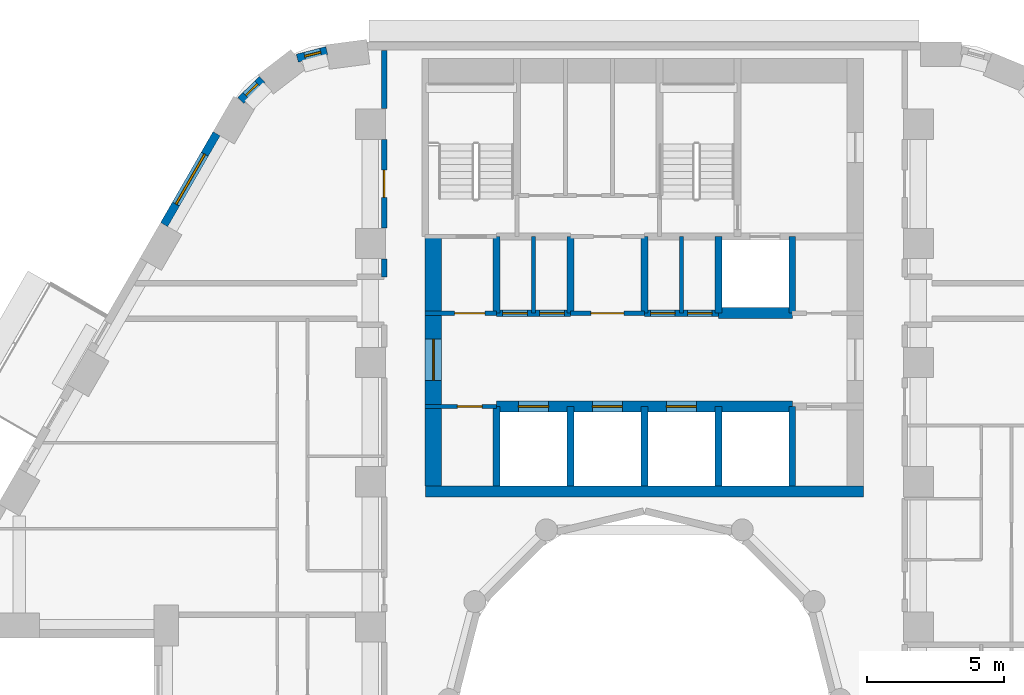
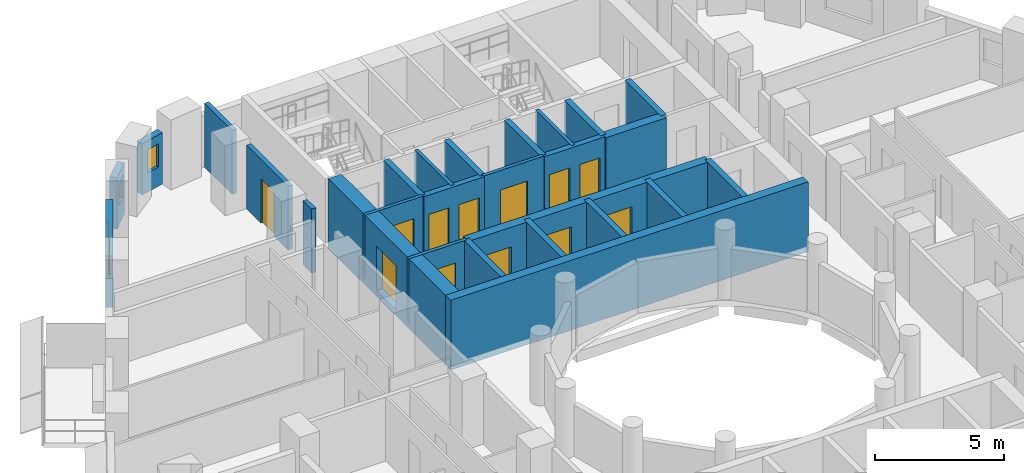
# One storey, part 7 of 13: 27 walls, 12 doors, 3 windows, 15 openings.
"""IFC4 building model written with IfcOpenShell, lengths in metres."""

from ifc_helpers import new_model, si_unit, direction, frame, frame_2d, origin, place, context, subcontext, project, spatial, rectangle, extrude, material, layer, layer_set, type_object, element, fill, save


model = new_model("IFC4")

# Units and contexts
model_context = context("Model", 3, precision=1e-05, world=origin(), true_north=direction((0.0, 1.0)))
body_context = subcontext(model_context, "Body", "Model", "MODEL_VIEW")
ifc_project = project(units=[si_unit("LENGTHUNIT", "METRE"), si_unit("AREAUNIT", "SQUARE_METRE"), si_unit("VOLUMEUNIT", "CUBIC_METRE"), si_unit("PLANEANGLEUNIT", "RADIAN"), si_unit("MASSUNIT", "GRAM", prefix="KILO")], contexts=[model_context])

# Site, building, storey
site_placement = place(None, origin())
site = spatial("IfcSite", under=ifc_project, at=site_placement, CompositionType="ELEMENT")
building_placement = place(site_placement, origin())
building = spatial("IfcBuilding", under=site, at=building_placement, Name="Nakaniwa Court", CompositionType="ELEMENT")
storey_placement = place(building_placement, frame((0.0, 0.0, 48.0)))
storey = spatial("IfcBuildingStorey", under=building, at=storey_placement, Name="L12", CompositionType="ELEMENT", Elevation=48.0)

# Wall
ifc_material_1 = material(Name="Acoustic double stud partition")
ifc_layer_1 = layer(ifc_material_1, 0.199951171875)
ifc_layer_set_1 = layer_set([ifc_layer_1], Name="Acoustic double stud partition")
wall_type_1 = type_object("IfcWallType", Name="Acoustic double stud partition 200", PredefinedType="PARTITIONING", material=ifc_layer_set_1)
wall_1_placement = place(storey_placement, frame((70.5, 95.422119140625, 0.0), z_axis=(0.0, 0.0, 1.0), x_axis=(0.0, 1.0, 0.0)))
element("IfcWall", 1, at=wall_1_placement, inside=storey, type_object=wall_type_1, Name="Partition PW-110", PredefinedType="PARTITIONING", context=body_context, shape_type="SweptSolid", body=[
    extrude(rectangle(XDim=0.660888671875, YDim=0.199951171875, at=frame_2d((0.33056640625, 0.0))), origin(), (0.0, 0.0, 1.0), 3.02490234375),
])

# Wall, opening, door
wall_2_placement = place(storey_placement, frame((70.5, 97.217041015625, 0.0), z_axis=(0.0, 0.0, 1.0), x_axis=(0.0, 1.0, 0.0)))
wall_2 = element("IfcWall", 2, at=wall_2_placement, inside=storey, type_object=wall_type_1, Name="Partition PW-111", PredefinedType="PARTITIONING", context=body_context, shape_type="SweptSolid", body=[
    extrude(rectangle(XDim=3.216064453125, YDim=0.199951171875, at=frame_2d((1.60791015625, 0.0))), origin(), (0.0, 0.0, 1.0), 3.02490234375),
])
opening_1_placement = place(wall_2_placement, frame((1.10791015625, 0.0, 0.0)))
opening_1 = element("IfcOpeningElement", 3, at=opening_1_placement, cuts=wall_2, Name="Opening D-02-04", PredefinedType="OPENING", context=body_context, shape_type="SweptSolid", body=[
    extrude(rectangle(XDim=1.0, YDim=2.10009765625, at=frame_2d((0.5, 1.050048828125))), frame((0.0, 0.10986328125, 0.0), z_axis=(0.0, -1.0, 0.0), x_axis=(1.0, 0.0, 0.0)), (0.0, 0.0, 1.0), 0.219970703125),
])
ifc_material_2 = material(Name="Solid core timber door set, black veneer", Category="wood")
door_type_1 = type_object("IfcDoorType", Name="Internal door 1000", OperationType="NOTDEFINED", PredefinedType="DOOR", material=ifc_material_2)
door_1_placement = place(opening_1_placement, origin())
door_1 = element("IfcDoor", 4, at=door_1_placement, inside=storey, type_object=door_type_1, Name="Door D-02-04 L12-056", OperationType="SINGLE_SWING_LEFT", OverallHeight=2.10009765625, OverallWidth=1.0, PredefinedType="DOOR", context=body_context, shape_type="SweptSolid", body=[
    extrude(rectangle(XDim=1.0, YDim=2.10009765625, at=frame_2d((0.5, 1.050048828125))), frame((0.0, 0.02490234375, 0.0), z_axis=(0.0, -1.0, 0.0), x_axis=(1.0, 0.0, 0.0)), (0.0, 0.0, 1.0), 0.050048828125),
])
fill(opening_1, door_1)

# Wall
wall_3_placement = place(storey_placement, frame((70.5, 101.56689453125, 0.0), z_axis=(0.0, 0.0, 1.0), x_axis=(0.0, 1.0, 0.0)))
element("IfcWall", 5, at=wall_3_placement, inside=storey, type_object=wall_type_1, Name="Partition PW-112", PredefinedType="PARTITIONING", context=body_context, shape_type="SweptSolid", body=[
    extrude(rectangle(XDim=2.133056640625, YDim=0.199951171875, at=frame_2d((1.06640625, 0.0))), origin(), (0.0, 0.0, 1.0), 3.02490234375),
])

# Wall, opening, window
ifc_material_3 = material(Name="Charcoal ceramic cladding")
ifc_layer_2 = layer(ifc_material_3, 0.02, Name="Ceramic cladding")
ifc_material_4 = material(Name="Ventilated air cavity")
ifc_layer_3 = layer(ifc_material_4, 0.04, ventilated=True, Name="Ventilated cavity")
ifc_material_5 = material(Name="Mineral wool insulation")
ifc_layer_4 = layer(ifc_material_5, 0.1, Name="Insulation")
ifc_material_6 = material(Name="Cement bonded sheathing board")
ifc_layer_5 = layer(ifc_material_6, 0.012, Name="Sheathing")
ifc_material_7 = material(Name="Cold-formed galvanised stud frame with mineral wool infill")
ifc_layer_6 = layer(ifc_material_7, 0.1, Name="Stud frame")
ifc_material_8 = material(Name="Fire-rated gypsum plasterboard lining")
ifc_layer_7 = layer(ifc_material_8, 0.028, Name="Lining")
ifc_layer_set_2 = layer_set([ifc_layer_2, ifc_layer_3, ifc_layer_4, ifc_layer_5, ifc_layer_6, ifc_layer_7], Name="Charcoal ceramic faced external wall system")
wall_type_2 = type_object("IfcWallType", Name="Black ceramic faced external wall 300", PredefinedType="SOLIDWALL", material=ifc_layer_set_2)
wall_4_placement = place(storey_placement, frame((68.4052734375, 103.68310546875, 0.0), z_axis=(0.0, 0.0, 1.0), x_axis=(-0.969766298956, -0.244035500304, 0.0)))
wall_4 = element("IfcWall", 6, at=wall_4_placement, inside=storey, type_object=wall_type_2, Name="L12 external wall 09", PredefinedType="SOLIDWALL", context=body_context, shape_type="SweptSolid", body=[
    extrude(rectangle(XDim=1.110595703125, YDim=0.300048828125, at=frame_2d((0.55517578125, 0.0))), origin(), (0.0, 0.0, 1.0), 2.425048828125),
])
opening_2_placement = place(wall_4_placement, frame((0.230712890625, 0.0, 0.89990234375)))
opening_2 = element("IfcOpeningElement", 7, at=opening_2_placement, cuts=wall_4, Name="Opening W8.10", PredefinedType="OPENING", context=body_context, shape_type="SweptSolid", body=[
    extrude(rectangle(XDim=0.60009765625, YDim=1.10009765625, at=frame_2d((0.300048828125, 0.550048828125))), frame((0.0, 0.159912109375, 0.0), z_axis=(0.0, -1.0, 0.0), x_axis=(1.0, 0.0, 0.0)), (0.0, 0.0, 1.0), 0.320068359375),
])
ifc_material_9 = material(Name="Black anodised aluminium frame with dark low-E laminated double glazing", Category="aluminium")
window_type_1 = type_object("IfcWindowType", Name="Dark glass window 600x1100 sill 900", PartitioningType="SINGLE_PANEL", PredefinedType="WINDOW", material=ifc_material_9)
window_1_placement = place(opening_2_placement, origin())
window_1 = element("IfcWindow", 8, at=window_1_placement, inside=storey, type_object=window_type_1, Name="L12 habitable room window 09-0", OverallHeight=1.10009765625, OverallWidth=0.60009765625, PartitioningType="SINGLE_PANEL", PredefinedType="WINDOW", context=body_context, shape_type="SweptSolid", body=[
    extrude(rectangle(XDim=0.60009765625, YDim=1.10009765625, at=frame_2d((0.300048828125, 0.550048828125))), frame((0.0, 0.030029296875, 0.0), z_axis=(0.0, -1.0, 0.0), x_axis=(1.0, 0.0, 0.0)), (0.0, 0.0, 1.0), 0.06005859375),
])
fill(opening_2, window_1)

wall_5_placement = place(storey_placement, frame((66.04150390625, 102.637451171875, 0.0), z_axis=(0.0, 0.0, 1.0), x_axis=(-0.708892395813, -0.705316646024, 0.0)))
wall_5 = element("IfcWall", 9, at=wall_5_placement, inside=storey, type_object=wall_type_2, Name="L12 external wall 10", PredefinedType="SOLIDWALL", context=body_context, shape_type="SweptSolid", body=[
    extrude(rectangle(XDim=1.092529296875, YDim=0.300048828125, at=frame_2d((0.54638671875, 0.0))), origin(), (0.0, 0.0, 1.0), 2.425048828125),
])
opening_3_placement = place(wall_5_placement, frame((0.23583984375, 0.0, 0.89990234375)))
opening_3 = element("IfcOpeningElement", 10, at=opening_3_placement, cuts=wall_5, Name="Opening W8.11", PredefinedType="OPENING", context=body_context, shape_type="SweptSolid", body=[
    extrude(rectangle(XDim=0.60009765625, YDim=1.10009765625, at=frame_2d((0.300048828125, 0.550048828125))), frame((0.0, 0.159912109375, 0.0), z_axis=(0.0, -1.0, 0.0), x_axis=(1.0, 0.0, 0.0)), (0.0, 0.0, 1.0), 0.320068359375),
])
window_2_placement = place(opening_3_placement, origin())
window_2 = element("IfcWindow", 11, at=window_2_placement, inside=storey, type_object=window_type_1, Name="L12 habitable room window 10-0", OverallHeight=1.10009765625, OverallWidth=0.60009765625, PartitioningType="SINGLE_PANEL", PredefinedType="WINDOW", context=body_context, shape_type="SweptSolid", body=[
    extrude(rectangle(XDim=0.60009765625, YDim=1.10009765625, at=frame_2d((0.300048828125, 0.550048828125))), frame((0.0, 0.030029296875, 0.0), z_axis=(0.0, -1.0, 0.0), x_axis=(1.0, 0.0, 0.0)), (0.0, 0.0, 1.0), 0.06005859375),
])
fill(opening_3, window_2)

wall_6_placement = place(storey_placement, frame((64.384765625, 100.653564453125, 0.0), z_axis=(0.0, 0.0, 1.0), x_axis=(-0.499974163209, -0.866040320149, 0.0)))
wall_6 = element("IfcWall", 12, at=wall_6_placement, inside=storey, type_object=wall_type_2, Name="L12 external wall 11", PredefinedType="SOLIDWALL", context=body_context, shape_type="SweptSolid", body=[
    extrude(rectangle(XDim=3.834228515625, YDim=0.300048828125, at=frame_2d((1.9169921875, 0.0))), origin(), (0.0, 0.0, 1.0), 2.425048828125),
])
opening_4_placement = place(wall_6_placement, frame((0.866943359375, 0.0, 0.89990234375)))
opening_4 = element("IfcOpeningElement", 13, at=opening_4_placement, cuts=wall_6, Name="Opening W7.12", PredefinedType="OPENING", context=body_context, shape_type="SweptSolid", body=[
    extrude(rectangle(XDim=2.10009765625, YDim=1.10009765625, at=frame_2d((1.050048828125, 0.550048828125))), frame((0.0, 0.159912109375, 0.0), z_axis=(0.0, -1.0, 0.0), x_axis=(1.0, 0.0, 0.0)), (0.0, 0.0, 1.0), 0.320068359375),
])
window_type_2 = type_object("IfcWindowType", Name="Dark glass window 2100x1100 sill 900", PartitioningType="SINGLE_PANEL", PredefinedType="WINDOW", material=ifc_material_9)
window_3_placement = place(opening_4_placement, origin())
window_3 = element("IfcWindow", 14, at=window_3_placement, inside=storey, type_object=window_type_2, Name="L12 habitable room window 11-0", OverallHeight=1.10009765625, OverallWidth=2.10009765625, PartitioningType="SINGLE_PANEL", PredefinedType="WINDOW", context=body_context, shape_type="SweptSolid", body=[
    extrude(rectangle(XDim=2.10009765625, YDim=1.10009765625, at=frame_2d((1.050048828125, 0.550048828125))), frame((0.0, 0.030029296875, 0.0), z_axis=(0.0, -1.0, 0.0), x_axis=(1.0, 0.0, 0.0)), (0.0, 0.0, 1.0), 0.06005859375),
])
fill(opening_4, window_3)

# Wall, opening, door
ifc_material_10 = material(Name="Blockwork partition", Category="masonry")
ifc_layer_8 = layer(ifc_material_10, 0.14990234375)
ifc_layer_set_3 = layer_set([ifc_layer_8], Name="Blockwork partition")
wall_type_3 = type_object("IfcWallType", Name="Blockwork partition 150", PredefinedType="PARTITIONING", material=ifc_layer_set_3)
wall_7_placement = place(storey_placement, frame((74.60009765625, 90.699951171875, 0.0), z_axis=(0.0, 0.0, 1.0), x_axis=(-1.0, 0.0, 0.0)))
wall_7 = element("IfcWall", 15, at=wall_7_placement, inside=storey, type_object=wall_type_3, Name="Partition PW-003", PredefinedType="PARTITIONING", context=body_context, shape_type="SweptSolid", body=[
    extrude(rectangle(XDim=2.60009765625, YDim=0.14990234375, at=frame_2d((1.300048828125, 0.0))), origin(), (0.0, 0.0, 1.0), 3.02490234375),
])
opening_5_placement = place(wall_7_placement, frame((0.52490234375, 0.0, 0.0)))
opening_5 = element("IfcOpeningElement", 16, at=opening_5_placement, cuts=wall_7, Name="Opening D-05-01", PredefinedType="OPENING", context=body_context, shape_type="SweptSolid", body=[
    extrude(rectangle(XDim=0.89990234375, YDim=2.10009765625, at=frame_2d((0.449951171875, 1.050048828125))), frame((0.0, 0.0849609375, 0.0), z_axis=(0.0, -1.0, 0.0), x_axis=(1.0, 0.0, 0.0)), (0.0, 0.0, 1.0), 0.169921875),
])
ifc_material_11 = material(Name="Fire rated steel door set", Category="steel")
door_type_2 = type_object("IfcDoorType", Name="Service room door 900", OperationType="NOTDEFINED", PredefinedType="DOOR", material=ifc_material_11)
door_2_placement = place(opening_5_placement, origin())
door_2 = element("IfcDoor", 17, at=door_2_placement, inside=storey, type_object=door_type_2, Name="Door D-05-01 L12-001", OperationType="SINGLE_SWING_RIGHT", OverallHeight=2.10009765625, OverallWidth=0.89990234375, PredefinedType="DOOR", context=body_context, shape_type="SweptSolid", body=[
    extrude(rectangle(XDim=0.89990234375, YDim=2.10009765625, at=frame_2d((0.449951171875, 1.050048828125))), frame((0.0, 0.02490234375, 0.0), z_axis=(0.0, -1.0, 0.0), x_axis=(1.0, 0.0, 0.0)), (0.0, 0.0, 1.0), 0.050048828125),
])
fill(opening_5, door_2)

wall_8_placement = place(storey_placement, frame((72.0, 94.10009765625, 0.0), z_axis=(0.0, 0.0, 1.0), x_axis=(1.0, 0.0, 0.0)))
wall_8 = element("IfcWall", 18, at=wall_8_placement, inside=storey, type_object=wall_type_3, Name="Partition PW-016", PredefinedType="PARTITIONING", context=body_context, shape_type="SweptSolid", body=[
    extrude(rectangle(XDim=2.60302734375, YDim=0.14990234375, at=frame_2d((1.301513671875, 0.0))), origin(), (0.0, 0.0, 1.0), 3.02490234375),
])
opening_6_placement = place(wall_8_placement, frame((1.074951171875, 0.0, 0.0)))
opening_6 = element("IfcOpeningElement", 19, at=opening_6_placement, cuts=wall_8, Name="Opening D-08-01", PredefinedType="OPENING", context=body_context, shape_type="SweptSolid", body=[
    extrude(rectangle(XDim=1.10009765625, YDim=2.10009765625, at=frame_2d((0.550048828125, 1.050048828125))), frame((0.0, 0.0849609375, 0.0), z_axis=(0.0, -1.0, 0.0), x_axis=(1.0, 0.0, 0.0)), (0.0, 0.0, 1.0), 0.169921875),
])
door_type_3 = type_object("IfcDoorType", Name="Stair lobby door 1100", OperationType="NOTDEFINED", PredefinedType="DOOR", material=ifc_material_11)
door_3_placement = place(opening_6_placement, origin())
door_3 = element("IfcDoor", 20, at=door_3_placement, inside=storey, type_object=door_type_3, Name="Door D-08-01 L12-003", OperationType="SINGLE_SWING_RIGHT", OverallHeight=2.10009765625, OverallWidth=1.10009765625, PredefinedType="DOOR", context=body_context, shape_type="SweptSolid", body=[
    extrude(rectangle(XDim=1.10009765625, YDim=2.10009765625, at=frame_2d((0.550048828125, 1.050048828125))), frame((0.0, 0.02490234375, 0.0), z_axis=(0.0, -1.0, 0.0), x_axis=(1.0, 0.0, 0.0)), (0.0, 0.0, 1.0), 0.050048828125),
])
fill(opening_6, door_3)

wall_9_placement = place(storey_placement, frame((77.297119140625, 94.10009765625, 0.0), z_axis=(0.0, 0.0, 1.0), x_axis=(1.0, 0.0, 0.0)))
wall_9 = element("IfcWall", 21, at=wall_9_placement, inside=storey, type_object=wall_type_3, Name="Partition PW-017", PredefinedType="PARTITIONING", context=body_context, shape_type="SweptSolid", body=[
    extrude(rectangle(XDim=2.705810546875, YDim=0.14990234375, at=frame_2d((1.35302734375, 0.0))), origin(), (0.0, 0.0, 1.0), 3.02490234375),
])
opening_7_placement = place(wall_9_placement, frame((0.7529296875, 0.0, 0.0)))
opening_7 = element("IfcOpeningElement", 22, at=opening_7_placement, cuts=wall_9, Name="Opening D-06-01", PredefinedType="OPENING", context=body_context, shape_type="SweptSolid", body=[
    extrude(rectangle(XDim=1.199951171875, YDim=2.10009765625, at=frame_2d((0.60009765625, 1.050048828125))), frame((0.0, 0.0849609375, 0.0), z_axis=(0.0, -1.0, 0.0), x_axis=(1.0, 0.0, 0.0)), (0.0, 0.0, 1.0), 0.169921875),
])
ifc_material_12 = material(Name="Fire rated steel double door set", Category="steel")
door_type_4 = type_object("IfcDoorType", Name="Service passage double door 1200", OperationType="NOTDEFINED", PredefinedType="DOOR", material=ifc_material_12)
door_4_placement = place(opening_7_placement, origin())
door_4 = element("IfcDoor", 23, at=door_4_placement, inside=storey, type_object=door_type_4, Name="Door D-06-01 L12-006", OperationType="DOUBLE_DOOR_SINGLE_SWING", OverallHeight=2.10009765625, OverallWidth=1.199951171875, PredefinedType="DOOR", context=body_context, shape_type="SweptSolid", body=[
    extrude(rectangle(XDim=1.199951171875, YDim=2.10009765625, at=frame_2d((0.60009765625, 1.050048828125))), frame((0.0, 0.02490234375, 0.0), z_axis=(0.0, -1.0, 0.0), x_axis=(1.0, 0.0, 0.0)), (0.0, 0.0, 1.0), 0.050048828125),
])
fill(opening_7, door_4)

# Walls
for number, where, z_axis, x_axis, name in (
    (24, (75.949951171875, 94.10009765625, 0.0), (0.0, 0.0, 1.0), (0.0, 1.0, 0.0), "Partition PW-023"),
    (25, (81.35009765625, 94.10009765625, 0.0), (0.0, 0.0, 1.0), (0.0, 1.0, 0.0), "Partition PW-027"),
):
    element("IfcWall", number, at=place(storey_placement, frame(where, z_axis=z_axis, x_axis=x_axis)), inside=storey, type_object=wall_type_3, Name=name, PredefinedType="PARTITIONING", context=body_context, shape_type="SweptSolid", body=[
        extrude(rectangle(XDim=2.7998046875, YDim=0.14990234375, at=frame_2d((1.39990234375, 0.0))), origin(), (0.0, 0.0, 1.0), 3.02490234375),
    ])

# Wall, opening, door
ifc_material_13 = material(Name="Concrete C100/115", Category="concrete")
ifc_layer_9 = layer(ifc_material_13, 0.60009765625)
ifc_layer_set_4 = layer_set([ifc_layer_9], Name="Concrete C100/115")
wall_type_4 = type_object("IfcWallType", Name="Concrete core side wall 600 C100", PredefinedType="SHEAR", material=ifc_layer_set_4)
wall_10_placement = place(storey_placement, frame((72.300048828125, 87.800048828125, -0.27490234375), z_axis=(0.0, 0.0, 1.0), x_axis=(0.0, 1.0, 0.0)))
wall_10 = element("IfcWall", 26, at=wall_10_placement, inside=storey, type_object=wall_type_4, Name="Core wall SW-04", PredefinedType="SHEAR", context=body_context, shape_type="SweptSolid", body=[
    extrude(rectangle(XDim=9.099853515625, YDim=0.60009765625, at=frame_2d((4.5498046875, 0.0))), origin(), (0.0, 0.0, 1.0), 3.2998046875),
])
opening_8_placement = place(wall_10_placement, frame((3.85009765625, 0.0, 0.27490234375)))
opening_8 = element("IfcOpeningElement", 27, at=opening_8_placement, cuts=wall_10, Name="Opening D-07-02", PredefinedType="OPENING", context=body_context, shape_type="SweptSolid", body=[
    extrude(rectangle(XDim=1.5, YDim=2.10009765625, at=frame_2d((0.75, 1.050048828125))), frame((0.0, 0.31005859375, 0.0), z_axis=(0.0, -1.0, 0.0), x_axis=(1.0, 0.0, 0.0)), (0.0, 0.0, 1.0), 0.6201171875),
])
ifc_material_14 = material(Name="Glazed fire rated steel double door set", Category="steel")
door_type_5 = type_object("IfcDoorType", Name="Lobby double door 1500", OperationType="NOTDEFINED", PredefinedType="DOOR", material=ifc_material_14)
door_5_placement = place(opening_8_placement, origin())
door_5 = element("IfcDoor", 28, at=door_5_placement, inside=storey, type_object=door_type_5, Name="Door D-07-02 L12-061", OperationType="DOUBLE_DOOR_SINGLE_SWING", OverallHeight=2.10009765625, OverallWidth=1.5, PredefinedType="DOOR", context=body_context, shape_type="SweptSolid", body=[
    extrude(rectangle(XDim=1.5, YDim=2.10009765625, at=frame_2d((0.75, 1.050048828125))), frame((0.0, 0.02490234375, 0.0), z_axis=(0.0, -1.0, 0.0), x_axis=(1.0, 0.0, 0.0)), (0.0, 0.0, 1.0), 0.050048828125),
])
fill(opening_8, door_5)

# Wall, openings, doors
ifc_layer_10 = layer(ifc_material_13, 0.39990234375)
ifc_layer_set_5 = layer_set([ifc_layer_10], Name="Concrete C100/115")
wall_type_5 = type_object("IfcWallType", Name="Concrete core spine wall 400 C100", PredefinedType="SHEAR", material=ifc_layer_set_5)
wall_11_placement = place(storey_placement, frame((74.60009765625, 90.699951171875, -0.27490234375), z_axis=(0.0, 0.0, 1.0), x_axis=(1.0, 0.0, 0.0)))
wall_11 = element("IfcWall", 29, at=wall_11_placement, inside=storey, type_object=wall_type_5, Name="Core wall SW-07", PredefinedType="SHEAR", context=body_context, shape_type="SweptSolid", body=[
    extrude(rectangle(XDim=10.7998046875, YDim=0.39990234375, at=frame_2d((5.39990234375, 0.0))), origin(), (0.0, 0.0, 1.0), 3.2998046875),
])
opening_9_placement = place(wall_11_placement, frame((0.800048828125, 0.0, 0.27490234375)))
opening_9 = element("IfcOpeningElement", 30, at=opening_9_placement, cuts=wall_11, Name="Opening LD01", PredefinedType="OPENING", context=body_context, shape_type="SweptSolid", body=[
    extrude(rectangle(XDim=1.10009765625, YDim=2.10009765625, at=frame_2d((0.550048828125, 1.050048828125))), frame((0.0, 0.2099609375, 0.0), z_axis=(0.0, -1.0, 0.0), x_axis=(1.0, 0.0, 0.0)), (0.0, 0.0, 1.0), 0.419921875),
])
opening_10_placement = place(wall_11_placement, frame((3.5, 0.0, 0.27490234375)))
opening_10 = element("IfcOpeningElement", 31, at=opening_10_placement, cuts=wall_11, Name="Opening LD02", PredefinedType="OPENING", context=body_context, shape_type="SweptSolid", body=[
    extrude(rectangle(XDim=1.10009765625, YDim=2.10009765625, at=frame_2d((0.550048828125, 1.050048828125))), frame((0.0, 0.2099609375, 0.0), z_axis=(0.0, -1.0, 0.0), x_axis=(1.0, 0.0, 0.0)), (0.0, 0.0, 1.0), 0.419921875),
])
opening_11_placement = place(wall_11_placement, frame((6.199951171875, 0.0, 0.27490234375)))
opening_11 = element("IfcOpeningElement", 32, at=opening_11_placement, cuts=wall_11, Name="Opening LD03", PredefinedType="OPENING", context=body_context, shape_type="SweptSolid", body=[
    extrude(rectangle(XDim=1.10009765625, YDim=2.10009765625, at=frame_2d((0.550048828125, 1.050048828125))), frame((0.0, 0.2099609375, 0.0), z_axis=(0.0, -1.0, 0.0), x_axis=(1.0, 0.0, 0.0)), (0.0, 0.0, 1.0), 0.419921875),
])
ifc_material_15 = material(Name="Stainless steel sliding lift landing door", Category="steel")
door_type_6 = type_object("IfcDoorType", Name="Lift landing door 1100", OperationType="NOTDEFINED", PredefinedType="DOOR", material=ifc_material_15)
door_6_placement = place(opening_9_placement, origin())
door_6 = element("IfcDoor", 33, at=door_6_placement, inside=storey, type_object=door_type_6, Name="Lift landing door LD01 L12-001", OperationType="SLIDING_TO_LEFT", OverallHeight=2.10009765625, OverallWidth=1.10009765625, PredefinedType="DOOR", context=body_context, shape_type="SweptSolid", body=[
    extrude(rectangle(XDim=1.10009765625, YDim=2.10009765625, at=frame_2d((0.550048828125, 1.050048828125))), frame((0.0, 0.02490234375, 0.0), z_axis=(0.0, -1.0, 0.0), x_axis=(1.0, 0.0, 0.0)), (0.0, 0.0, 1.0), 0.050048828125),
])
fill(opening_9, door_6)
door_7_placement = place(opening_10_placement, origin())
door_7 = element("IfcDoor", 34, at=door_7_placement, inside=storey, type_object=door_type_6, Name="Lift landing door LD02 L12-002", OperationType="SLIDING_TO_LEFT", OverallHeight=2.10009765625, OverallWidth=1.10009765625, PredefinedType="DOOR", context=body_context, shape_type="SweptSolid", body=[
    extrude(rectangle(XDim=1.10009765625, YDim=2.10009765625, at=frame_2d((0.550048828125, 1.050048828125))), frame((0.0, 0.02490234375, 0.0), z_axis=(0.0, -1.0, 0.0), x_axis=(1.0, 0.0, 0.0)), (0.0, 0.0, 1.0), 0.050048828125),
])
fill(opening_10, door_7)
door_8_placement = place(opening_11_placement, origin())
door_8 = element("IfcDoor", 35, at=door_8_placement, inside=storey, type_object=door_type_6, Name="Lift landing door LD03 L12-003", OperationType="SLIDING_TO_LEFT", OverallHeight=2.10009765625, OverallWidth=1.10009765625, PredefinedType="DOOR", context=body_context, shape_type="SweptSolid", body=[
    extrude(rectangle(XDim=1.10009765625, YDim=2.10009765625, at=frame_2d((0.550048828125, 1.050048828125))), frame((0.0, 0.02490234375, 0.0), z_axis=(0.0, -1.0, 0.0), x_axis=(1.0, 0.0, 0.0)), (0.0, 0.0, 1.0), 0.050048828125),
])
fill(opening_11, door_8)

# Walls
wall_12_placement = place(storey_placement, frame((82.697021484375, 94.10009765625, -0.27490234375), z_axis=(0.0, 0.0, 1.0), x_axis=(1.0, 0.0, 0.0)))
element("IfcWall", 36, at=wall_12_placement, inside=storey, type_object=wall_type_5, Name="Core wall SW-21", PredefinedType="SHEAR", context=body_context, shape_type="SweptSolid", body=[
    extrude(rectangle(XDim=2.7060546875, YDim=0.39990234375, at=frame_2d((1.35302734375, 0.0))), origin(), (0.0, 0.0, 1.0), 3.2998046875),
])
ifc_layer_11 = layer(ifc_material_13, 0.39990234375)
ifc_layer_set_6 = layer_set([ifc_layer_11], Name="Concrete C100/115")
wall_type_6 = type_object("IfcWallType", Name="Concrete core well wall 400 C100", PredefinedType="SHEAR", material=ifc_layer_set_6)
wall_13_placement = place(storey_placement, frame((72.00390625, 87.60009765625, -0.27490234375), z_axis=(0.0, 0.0, 1.0), x_axis=(1.0, 0.0, 0.0)))
element("IfcWall", 37, at=wall_13_placement, inside=storey, type_object=wall_type_6, Name="Core wall SW-138", PredefinedType="SHEAR", context=body_context, shape_type="SweptSolid", body=[
    extrude(rectangle(XDim=15.9921875, YDim=0.39990234375, at=frame_2d((7.99609375, 0.0))), origin(), (0.0, 0.0, 1.0), 3.2998046875),
])
ifc_layer_12 = layer(ifc_material_13, 0.25)
ifc_layer_set_7 = layer_set([ifc_layer_12], Name="Concrete C100/115")
wall_type_7 = type_object("IfcWallType", Name="Concrete shaft wall 250 C100", PredefinedType="SHEAR", material=ifc_layer_set_7)
wall_14_placement = place(storey_placement, frame((74.60009765625, 87.800048828125, -0.27490234375), z_axis=(0.0, 0.0, 1.0), x_axis=(0.0, 1.0, 0.0)))
element("IfcWall", 38, at=wall_14_placement, inside=storey, type_object=wall_type_7, Name="Core wall SW-01", PredefinedType="SHEAR", context=body_context, shape_type="SweptSolid", body=[
    extrude(rectangle(XDim=2.89990234375, YDim=0.25, at=frame_2d((1.449951171875, 0.0))), origin(), (0.0, 0.0, 1.0), 3.2998046875),
])
wall_15_placement = place(storey_placement, frame((74.60009765625, 94.10009765625, -0.27490234375), z_axis=(0.0, 0.0, 1.0), x_axis=(0.0, 1.0, 0.0)))
element("IfcWall", 39, at=wall_15_placement, inside=storey, type_object=wall_type_7, Name="Core wall SW-02", PredefinedType="SHEAR", context=body_context, shape_type="SweptSolid", body=[
    extrude(rectangle(XDim=2.7998046875, YDim=0.25, at=frame_2d((1.39990234375, 0.0))), origin(), (0.0, 0.0, 1.0), 3.2998046875),
])
wall_16_placement = place(storey_placement, frame((77.300048828125, 87.800048828125, -0.27490234375), z_axis=(0.0, 0.0, 1.0), x_axis=(0.0, 1.0, 0.0)))
element("IfcWall", 40, at=wall_16_placement, inside=storey, type_object=wall_type_7, Name="Core wall SW-05", PredefinedType="SHEAR", context=body_context, shape_type="SweptSolid", body=[
    extrude(rectangle(XDim=2.89990234375, YDim=0.25, at=frame_2d((1.449951171875, 0.0))), origin(), (0.0, 0.0, 1.0), 3.2998046875),
])
wall_17_placement = place(storey_placement, frame((77.300048828125, 94.10009765625, -0.27490234375), z_axis=(0.0, 0.0, 1.0), x_axis=(0.0, 1.0, 0.0)))
element("IfcWall", 41, at=wall_17_placement, inside=storey, type_object=wall_type_7, Name="Core wall SW-06", PredefinedType="SHEAR", context=body_context, shape_type="SweptSolid", body=[
    extrude(rectangle(XDim=2.7998046875, YDim=0.25, at=frame_2d((1.39990234375, 0.0))), origin(), (0.0, 0.0, 1.0), 3.2998046875),
])
wall_18_placement = place(storey_placement, frame((80.0, 87.800048828125, -0.27490234375), z_axis=(0.0, 0.0, 1.0), x_axis=(0.0, 1.0, 0.0)))
element("IfcWall", 42, at=wall_18_placement, inside=storey, type_object=wall_type_7, Name="Core wall SW-08", PredefinedType="SHEAR", context=body_context, shape_type="SweptSolid", body=[
    extrude(rectangle(XDim=2.89990234375, YDim=0.25, at=frame_2d((1.449951171875, 0.0))), origin(), (0.0, 0.0, 1.0), 3.2998046875),
])
wall_19_placement = place(storey_placement, frame((80.0, 94.10009765625, -0.27490234375), z_axis=(0.0, 0.0, 1.0), x_axis=(0.0, 1.0, 0.0)))
element("IfcWall", 43, at=wall_19_placement, inside=storey, type_object=wall_type_7, Name="Core wall SW-09", PredefinedType="SHEAR", context=body_context, shape_type="SweptSolid", body=[
    extrude(rectangle(XDim=2.7998046875, YDim=0.25, at=frame_2d((1.39990234375, 0.0))), origin(), (0.0, 0.0, 1.0), 3.2998046875),
])
wall_20_placement = place(storey_placement, frame((82.699951171875, 87.800048828125, -0.27490234375), z_axis=(0.0, 0.0, 1.0), x_axis=(0.0, 1.0, 0.0)))
element("IfcWall", 44, at=wall_20_placement, inside=storey, type_object=wall_type_7, Name="Core wall SW-10", PredefinedType="SHEAR", context=body_context, shape_type="SweptSolid", body=[
    extrude(rectangle(XDim=2.89990234375, YDim=0.25, at=frame_2d((1.449951171875, 0.0))), origin(), (0.0, 0.0, 1.0), 3.2998046875),
])
wall_21_placement = place(storey_placement, frame((82.699951171875, 94.10009765625, -0.27490234375), z_axis=(0.0, 0.0, 1.0), x_axis=(0.0, 1.0, 0.0)))
element("IfcWall", 45, at=wall_21_placement, inside=storey, type_object=wall_type_7, Name="Core wall SW-11", PredefinedType="SHEAR", context=body_context, shape_type="SweptSolid", body=[
    extrude(rectangle(XDim=2.7998046875, YDim=0.25, at=frame_2d((1.39990234375, 0.0))), origin(), (0.0, 0.0, 1.0), 3.2998046875),
])
wall_22_placement = place(storey_placement, frame((85.39990234375, 87.800048828125, -0.27490234375), z_axis=(0.0, 0.0, 1.0), x_axis=(0.0, 1.0, 0.0)))
element("IfcWall", 46, at=wall_22_placement, inside=storey, type_object=wall_type_7, Name="Core wall SW-12", PredefinedType="SHEAR", context=body_context, shape_type="SweptSolid", body=[
    extrude(rectangle(XDim=2.89990234375, YDim=0.25, at=frame_2d((1.449951171875, 0.0))), origin(), (0.0, 0.0, 1.0), 3.2998046875),
])
wall_23_placement = place(storey_placement, frame((85.39990234375, 94.10009765625, -0.27490234375), z_axis=(0.0, 0.0, 1.0), x_axis=(0.0, 1.0, 0.0)))
element("IfcWall", 47, at=wall_23_placement, inside=storey, type_object=wall_type_7, Name="Core wall SW-13", PredefinedType="SHEAR", context=body_context, shape_type="SweptSolid", body=[
    extrude(rectangle(XDim=2.7998046875, YDim=0.25, at=frame_2d((1.39990234375, 0.0))), origin(), (0.0, 0.0, 1.0), 3.2998046875),
])

# Wall, openings, doors
wall_24_placement = place(storey_placement, frame((74.596923828125, 94.10009765625, -0.27490234375), z_axis=(0.0, 0.0, 1.0), x_axis=(1.0, 0.0, 0.0)))
wall_24 = element("IfcWall", 48, at=wall_24_placement, inside=storey, type_object=wall_type_7, Name="Core wall SW-19", PredefinedType="SHEAR", context=body_context, shape_type="SweptSolid", body=[
    extrude(rectangle(XDim=2.7060546875, YDim=0.25, at=frame_2d((1.35302734375, 0.0))), origin(), (0.0, 0.0, 1.0), 3.2998046875),
])
opening_12_placement = place(wall_24_placement, frame((0.22802734375, 0.0, 0.27490234375)))
opening_12 = element("IfcOpeningElement", 49, at=opening_12_placement, cuts=wall_24, Name="Opening D-05-03", PredefinedType="OPENING", context=body_context, shape_type="SweptSolid", body=[
    extrude(rectangle(XDim=0.89990234375, YDim=2.10009765625, at=frame_2d((0.449951171875, 1.050048828125))), frame((0.0, 0.135009765625, 0.0), z_axis=(0.0, -1.0, 0.0), x_axis=(1.0, 0.0, 0.0)), (0.0, 0.0, 1.0), 0.27001953125),
])
opening_13_placement = place(wall_24_placement, frame((1.577880859375, 0.0, 0.27490234375)))
opening_13 = element("IfcOpeningElement", 50, at=opening_13_placement, cuts=wall_24, Name="Opening D-05-04", PredefinedType="OPENING", context=body_context, shape_type="SweptSolid", body=[
    extrude(rectangle(XDim=0.89990234375, YDim=2.10009765625, at=frame_2d((0.449951171875, 1.050048828125))), frame((0.0, 0.135009765625, 0.0), z_axis=(0.0, -1.0, 0.0), x_axis=(1.0, 0.0, 0.0)), (0.0, 0.0, 1.0), 0.27001953125),
])
door_9_placement = place(opening_12_placement, origin())
door_9 = element("IfcDoor", 51, at=door_9_placement, inside=storey, type_object=door_type_2, Name="Door D-05-03 L12-004", OperationType="SINGLE_SWING_LEFT", OverallHeight=2.10009765625, OverallWidth=0.89990234375, PredefinedType="DOOR", context=body_context, shape_type="SweptSolid", body=[
    extrude(rectangle(XDim=0.89990234375, YDim=2.10009765625, at=frame_2d((0.449951171875, 1.050048828125))), frame((0.0, 0.02490234375, 0.0), z_axis=(0.0, -1.0, 0.0), x_axis=(1.0, 0.0, 0.0)), (0.0, 0.0, 1.0), 0.050048828125),
])
fill(opening_12, door_9)
door_10_placement = place(opening_13_placement, origin())
door_10 = element("IfcDoor", 52, at=door_10_placement, inside=storey, type_object=door_type_2, Name="Door D-05-04 L12-005", OperationType="SINGLE_SWING_RIGHT", OverallHeight=2.10009765625, OverallWidth=0.89990234375, PredefinedType="DOOR", context=body_context, shape_type="SweptSolid", body=[
    extrude(rectangle(XDim=0.89990234375, YDim=2.10009765625, at=frame_2d((0.449951171875, 1.050048828125))), frame((0.0, 0.02490234375, 0.0), z_axis=(0.0, -1.0, 0.0), x_axis=(1.0, 0.0, 0.0)), (0.0, 0.0, 1.0), 0.050048828125),
])
fill(opening_13, door_10)

wall_25_placement = place(storey_placement, frame((79.9970703125, 94.10009765625, -0.27490234375), z_axis=(0.0, 0.0, 1.0), x_axis=(1.0, 0.0, 0.0)))
wall_25 = element("IfcWall", 53, at=wall_25_placement, inside=storey, type_object=wall_type_7, Name="Core wall SW-20", PredefinedType="SHEAR", context=body_context, shape_type="SweptSolid", body=[
    extrude(rectangle(XDim=2.705810546875, YDim=0.25, at=frame_2d((1.35302734375, 0.0))), origin(), (0.0, 0.0, 1.0), 3.2998046875),
])
opening_14_placement = place(wall_25_placement, frame((0.22802734375, 0.0, 0.27490234375)))
opening_14 = element("IfcOpeningElement", 54, at=opening_14_placement, cuts=wall_25, Name="Opening D-05-05", PredefinedType="OPENING", context=body_context, shape_type="SweptSolid", body=[
    extrude(rectangle(XDim=0.89990234375, YDim=2.10009765625, at=frame_2d((0.449951171875, 1.050048828125))), frame((0.0, 0.135009765625, 0.0), z_axis=(0.0, -1.0, 0.0), x_axis=(1.0, 0.0, 0.0)), (0.0, 0.0, 1.0), 0.27001953125),
])
opening_15_placement = place(wall_25_placement, frame((1.577880859375, 0.0, 0.27490234375)))
opening_15 = element("IfcOpeningElement", 55, at=opening_15_placement, cuts=wall_25, Name="Opening D-05-06", PredefinedType="OPENING", context=body_context, shape_type="SweptSolid", body=[
    extrude(rectangle(XDim=0.89990234375, YDim=2.10009765625, at=frame_2d((0.449951171875, 1.050048828125))), frame((0.0, 0.135009765625, 0.0), z_axis=(0.0, -1.0, 0.0), x_axis=(1.0, 0.0, 0.0)), (0.0, 0.0, 1.0), 0.27001953125),
])
door_11_placement = place(opening_14_placement, origin())
door_11 = element("IfcDoor", 56, at=door_11_placement, inside=storey, type_object=door_type_2, Name="Door D-05-05 L12-007", OperationType="SINGLE_SWING_RIGHT", OverallHeight=2.10009765625, OverallWidth=0.89990234375, PredefinedType="DOOR", context=body_context, shape_type="SweptSolid", body=[
    extrude(rectangle(XDim=0.89990234375, YDim=2.10009765625, at=frame_2d((0.449951171875, 1.050048828125))), frame((0.0, 0.02490234375, 0.0), z_axis=(0.0, -1.0, 0.0), x_axis=(1.0, 0.0, 0.0)), (0.0, 0.0, 1.0), 0.050048828125),
])
fill(opening_14, door_11)
door_12_placement = place(opening_15_placement, origin())
door_12 = element("IfcDoor", 57, at=door_12_placement, inside=storey, type_object=door_type_2, Name="Door D-05-06 L12-008", OperationType="SINGLE_SWING_LEFT", OverallHeight=2.10009765625, OverallWidth=0.89990234375, PredefinedType="DOOR", context=body_context, shape_type="SweptSolid", body=[
    extrude(rectangle(XDim=0.89990234375, YDim=2.10009765625, at=frame_2d((0.449951171875, 1.050048828125))), frame((0.0, 0.02490234375, 0.0), z_axis=(0.0, -1.0, 0.0), x_axis=(1.0, 0.0, 0.0)), (0.0, 0.0, 1.0), 0.050048828125),
])
fill(opening_15, door_12)

save(model, "model.ifc")
